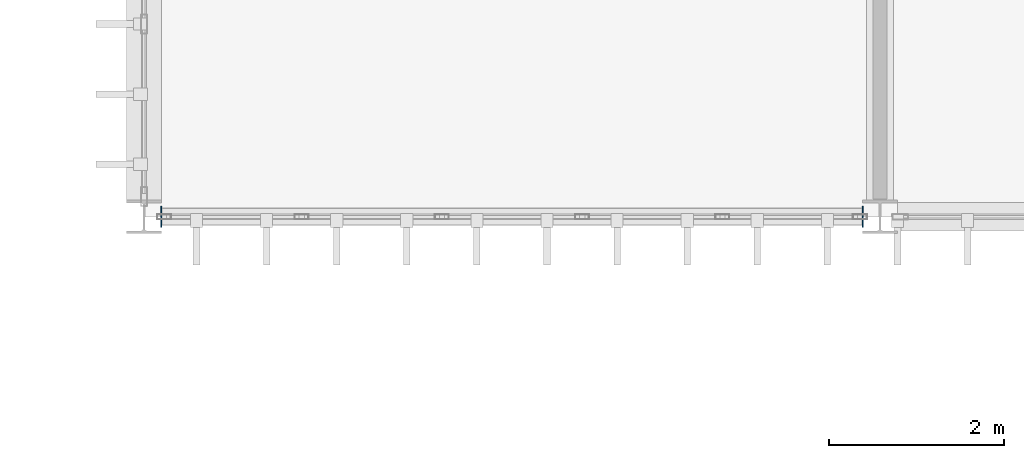
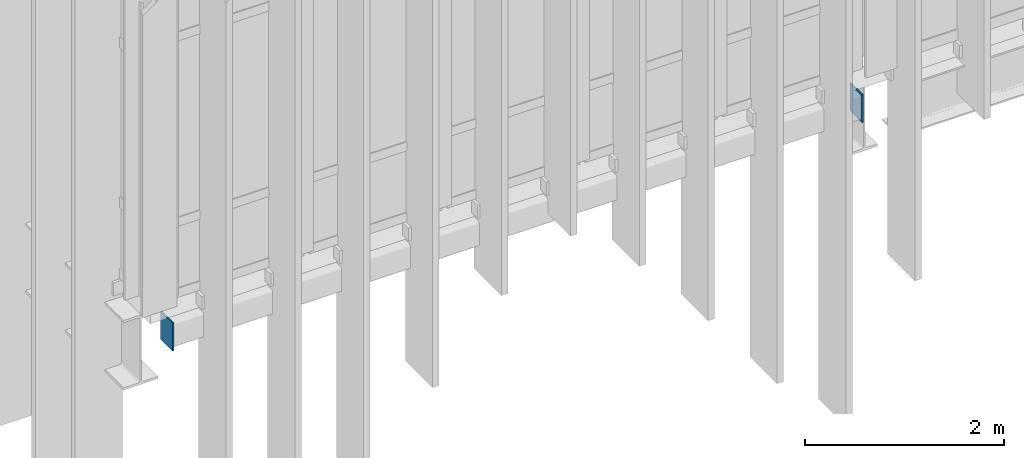
# One storey, part 107 of 153: 2 plates.
"""IFC4 building model written with IfcOpenShell, lengths in metres."""

from ifc_helpers import new_model, si_unit, direction, frame, origin, origin_2d, place, context, subcontext, project, spatial, rectangle, extrude, material, layer, layer_set, type_object, element, save


model = new_model("IFC4")

# Units and contexts
model_context = context("Model", 3, precision=1e-05, world=origin(), true_north=direction((0.0, 1.0)))
body_context = subcontext(model_context, "Body", "Model", "MODEL_VIEW")
ifc_project = project(units=[si_unit("LENGTHUNIT", "METRE"), si_unit("AREAUNIT", "SQUARE_METRE"), si_unit("VOLUMEUNIT", "CUBIC_METRE"), si_unit("PLANEANGLEUNIT", "RADIAN"), si_unit("MASSUNIT", "GRAM", prefix="KILO")], contexts=[model_context])

# Site, building, storey
site_placement = place(None, origin())
site = spatial("IfcSite", under=ifc_project, at=site_placement, CompositionType="ELEMENT")
building_placement = place(site_placement, origin())
building = spatial("IfcBuilding", under=site, at=building_placement, Name="Calvrana Isthmian Art Gallery", CompositionType="ELEMENT")
storey_placement = place(building_placement, frame((0.0, 0.0, 10.199951171875)))
storey = spatial("IfcBuildingStorey", under=building, at=storey_placement, Name="L02", CompositionType="ELEMENT", Elevation=10.199951171875)

# Plates
ifc_material = material(Name="Steel ASTM A572 Gr 50", Category="steel")
ifc_layer = layer(ifc_material, 0.01611328125, Name="Steel ASTM A572 Gr 50")
ifc_layer_set = layer_set([ifc_layer], Name="Steel ASTM A572 Gr 50")
plate_type = type_object("IfcPlateType", Name="PL-CAP-16", PredefinedType="SHEET", material=ifc_layer_set)
for number, where, z_axis, x_axis, name in (
    (1, (21.798095703125, 21.60009765625, -0.589599609375), (0.0, 0.0, 1.0), (1.0, 0.0, 0.0), "Hollow section end cap plate 447"),
    (2, (29.802978515625, 21.60009765625, -0.589599609375), (0.0, 0.0, 1.0), (1.0, 0.0, 0.0), "Hollow section end cap plate 448"),
):
    element("IfcPlate", number, at=place(storey_placement, frame(where, z_axis=z_axis, x_axis=x_axis)), inside=storey, type_object=plate_type, Name=name, PredefinedType="SHEET", context=body_context, shape_type="SweptSolid", body=[
        extrude(rectangle(XDim=0.01611328125, YDim=0.2431640625, at=origin_2d()), origin(), (0.0, 0.0, 1.0), 0.3447265625),
    ])

save(model, "model.ifc")
